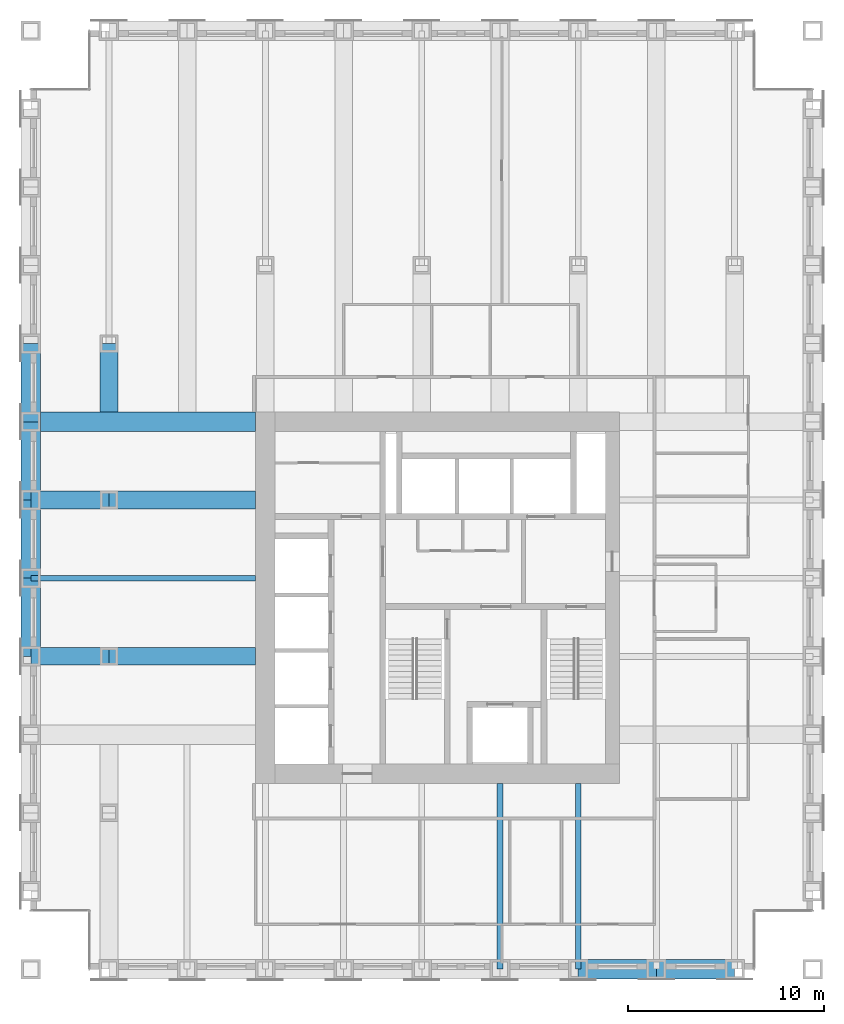
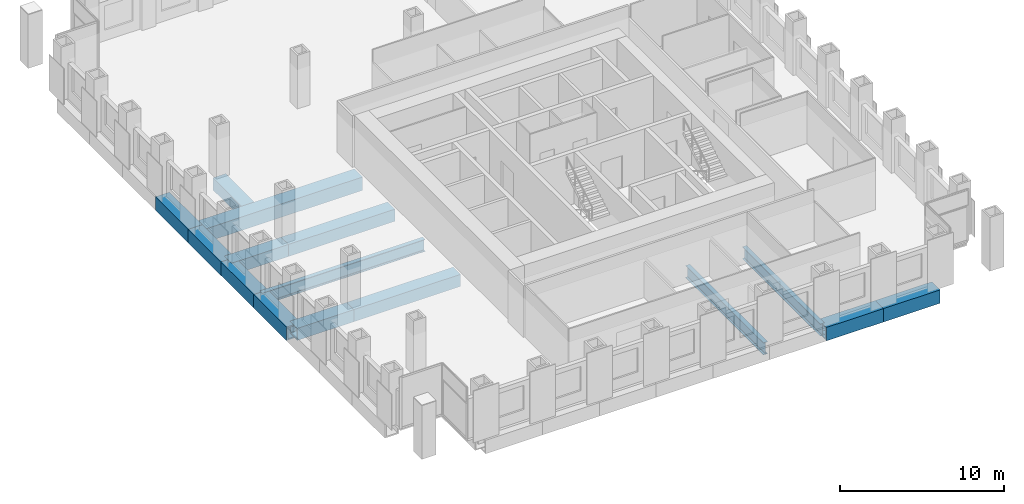
# One storey, part 3 of 13: 15 beams.
"""IFC4 building model written with IfcOpenShell, lengths in metres."""

from ifc_helpers import new_model, si_unit, direction, frame, origin, origin_2d, place, context, subcontext, project, spatial, hollow_rectangle, i_section, extrude, material, material_profile, profile_set, type_object, element, save


model = new_model("IFC4")

# Units and contexts
model_context = context("Model", 3, precision=1e-05, world=origin(), true_north=direction((0.0, 1.0)))
body_context = subcontext(model_context, "Body", "Model", "MODEL_VIEW")
ifc_project = project(units=[si_unit("LENGTHUNIT", "METRE"), si_unit("AREAUNIT", "SQUARE_METRE"), si_unit("VOLUMEUNIT", "CUBIC_METRE"), si_unit("PLANEANGLEUNIT", "RADIAN"), si_unit("MASSUNIT", "GRAM", prefix="KILO")], contexts=[model_context])

# Site, building, storey
site_placement = place(None, origin())
site = spatial("IfcSite", under=ifc_project, at=site_placement, CompositionType="ELEMENT")
building_placement = place(site_placement, origin())
building = spatial("IfcBuilding", under=site, at=building_placement, Name="Rimbunsela Tower", CompositionType="ELEMENT")
storey_placement = place(building_placement, frame((0.0, 0.0, 199.800048828125)))
storey = spatial("IfcBuildingStorey", under=building, at=storey_placement, Name="L48", CompositionType="ELEMENT", Elevation=199.800048828125)

# Beams
ifc_material_1 = material(Name="Steel BJ 55 (fy 410 MPa)", Category="steel")
ifc_material_profile_1 = material_profile(ifc_material_1, hollow_rectangle(XDim=1.0, YDim=1.0, WallThickness=0.10009765625, at=origin_2d()), Name="BOX 1000x1000x100")
ifc_profile_set_1 = profile_set([ifc_material_profile_1], Name="Steel BJ 55 (fy 410 MPa)")
beam_type_1 = type_object("IfcBeamType", Name="Beam BOX 1000x1000x100", PredefinedType="BEAM", material=ifc_profile_set_1)
for number, where, z_axis, x_axis, name in (
    (1, (6.0, 24.0, -0.650146484375), (0.0, 1.0, 0.0), (-1.0, 0.0, 0.0), "Beam B3 L48"),
    (2, (6.0, 28.0, -0.650146484375), (0.0, 1.0, 0.0), (-1.0, 0.0, 0.0), "Beam B3 L48"),
    (3, (6.0, 32.0, -0.650146484375), (0.0, 1.0, 0.0), (-1.0, 0.0, 0.0), "Beam B3 L48"),
    (4, (6.0, 36.0, -0.650146484375), (0.0, 1.0, 0.0), (-1.0, 0.0, 0.0), "Beam B3 L48"),
):
    element("IfcBeam", number, at=place(storey_placement, frame(where, z_axis=z_axis, x_axis=x_axis)), inside=storey, type_object=beam_type_1, Name=name, PredefinedType="BEAM", context=body_context, shape_type="SweptSolid", body=[
        extrude(hollow_rectangle(XDim=1.0, YDim=1.0, WallThickness=0.10009765625, at=origin_2d()), origin(), (0.0, 0.0, 1.0), 4.0),
    ])
beam_1_placement = place(storey_placement, frame((6.0, 36.0, -0.650146484375), z_axis=(1.0, 0.0, 0.0), x_axis=(0.0, 1.0, 0.0)))
element("IfcBeam", 5, at=beam_1_placement, inside=storey, type_object=beam_type_1, Name="Beam B3 L48", PredefinedType="BEAM", context=body_context, shape_type="SweptSolid", body=[
    extrude(hollow_rectangle(XDim=1.0, YDim=1.0, WallThickness=0.10009765625, at=origin_2d()), origin(), (0.0, 0.0, 1.0), 11.5),
])
for number, where, z_axis, x_axis, name in (
    (6, (34.0, 8.0, -0.650146484375), (1.0, 0.0, 0.0), (0.0, 1.0, 0.0), "Beam B3 L48"),
    (7, (38.0, 8.0, -0.650146484375), (1.0, 0.0, 0.0), (0.0, 1.0, 0.0), "Beam B3 L48"),
):
    element("IfcBeam", number, at=place(storey_placement, frame(where, z_axis=z_axis, x_axis=x_axis)), inside=storey, type_object=beam_type_1, Name=name, PredefinedType="BEAM", context=body_context, shape_type="SweptSolid", body=[
        extrude(hollow_rectangle(XDim=1.0, YDim=1.0, WallThickness=0.10009765625, at=origin_2d()), origin(), (0.0, 0.0, 1.0), 4.0),
    ])
ifc_material_2 = material(Name="Steel BJ 55 (fy 410 MPa)", Category="steel")
ifc_material_profile_2 = material_profile(ifc_material_2, hollow_rectangle(XDim=0.89990234375, YDim=0.89990234375, WallThickness=0.06005859375, at=origin_2d()), Name="BOX 900x900x60")
ifc_profile_set_2 = profile_set([ifc_material_profile_2], Name="Steel BJ 55 (fy 410 MPa)")
beam_type_2 = type_object("IfcBeamType", Name="Beam BOX 900x900x60", PredefinedType="BEAM", material=ifc_profile_set_2)
for number, where, z_axis, x_axis, name in (
    (8, (6.0, 24.0, -0.60009765625), (1.0, 0.0, 0.0), (0.0, 1.0, 0.0), "Beam B1 L48"),
    (9, (6.0, 32.0, -0.60009765625), (1.0, 0.0, 0.0), (0.0, 1.0, 0.0), "Beam B1 L48"),
):
    element("IfcBeam", number, at=place(storey_placement, frame(where, z_axis=z_axis, x_axis=x_axis)), inside=storey, type_object=beam_type_2, Name=name, PredefinedType="BEAM", context=body_context, shape_type="SweptSolid", body=[
        extrude(hollow_rectangle(XDim=0.89990234375, YDim=0.89990234375, WallThickness=0.06005859375, at=origin_2d()), origin(), (0.0, 0.0, 1.0), 4.0),
    ])
for number, where, z_axis, x_axis, name in (
    (10, (10.0, 24.0, -0.60009765625), (1.0, 0.0, 0.0), (0.0, 1.0, 0.0), "Beam B1 L48"),
    (11, (10.0, 32.0, -0.60009765625), (1.0, 0.0, 0.0), (0.0, 1.0, 0.0), "Beam B1 L48"),
):
    element("IfcBeam", number, at=place(storey_placement, frame(where, z_axis=z_axis, x_axis=x_axis)), inside=storey, type_object=beam_type_2, Name=name, PredefinedType="BEAM", context=body_context, shape_type="SweptSolid", body=[
        extrude(hollow_rectangle(XDim=0.89990234375, YDim=0.89990234375, WallThickness=0.06005859375, at=origin_2d()), origin(), (0.0, 0.0, 1.0), 7.5),
    ])
beam_2_placement = place(storey_placement, frame((10.0, 36.5, -0.60009765625), z_axis=(0.0, 1.0, 0.0), x_axis=(-1.0, 0.0, 0.0)))
element("IfcBeam", 12, at=beam_2_placement, inside=storey, type_object=beam_type_2, Name="Beam B1 L48", PredefinedType="BEAM", context=body_context, shape_type="SweptSolid", body=[
    extrude(hollow_rectangle(XDim=0.89990234375, YDim=0.89990234375, WallThickness=0.06005859375, at=origin_2d()), origin(), (0.0, 0.0, 1.0), 3.5),
])
ifc_material_3 = material(Name="Steel BJ 55 (fy 410 MPa)", Category="steel")
ifc_material_profile_3 = material_profile(ifc_material_3, i_section(OverallWidth=0.300048828125, OverallDepth=0.89990234375, WebThickness=0.01611328125, FlangeThickness=0.028076171875, FilletRadius=0.028076171875, at=origin_2d()), Name="H 900x300x16x28")
ifc_profile_set_3 = profile_set([ifc_material_profile_3], Name="Steel BJ 55 (fy 410 MPa)")
beam_type_3 = type_object("IfcBeamType", Name="Beam H 900x300x16x28", PredefinedType="BEAM", material=ifc_profile_set_3)
beam_3_placement = place(storey_placement, frame((6.0, 28.0, -0.60009765625), z_axis=(1.0, 0.0, 0.0), x_axis=(0.0, 1.0, 0.0)))
element("IfcBeam", 13, at=beam_3_placement, inside=storey, type_object=beam_type_3, Name="Beam B2 L48", PredefinedType="BEAM", context=body_context, shape_type="SweptSolid", body=[
    extrude(i_section(OverallWidth=0.300048828125, OverallDepth=0.89990234375, WebThickness=0.01611328125, FlangeThickness=0.028076171875, FilletRadius=0.028076171875, at=origin_2d()), origin(), (0.0, 0.0, 1.0), 11.5),
])
for number, where, z_axis, x_axis, name in (
    (14, (30.0, 8.0, -0.60009765625), (0.0, 1.0, 0.0), (-1.0, 0.0, 0.0), "Beam B2 L48"),
    (15, (34.0, 8.0, -0.60009765625), (0.0, 1.0, 0.0), (-1.0, 0.0, 0.0), "Beam B2 L48"),
):
    element("IfcBeam", number, at=place(storey_placement, frame(where, z_axis=z_axis, x_axis=x_axis)), inside=storey, type_object=beam_type_3, Name=name, PredefinedType="BEAM", context=body_context, shape_type="SweptSolid", body=[
        extrude(i_section(OverallWidth=0.300048828125, OverallDepth=0.89990234375, WebThickness=0.01611328125, FlangeThickness=0.028076171875, FilletRadius=0.028076171875, at=origin_2d()), origin(), (0.0, 0.0, 1.0), 9.5),
    ])

save(model, "model.ifc")
